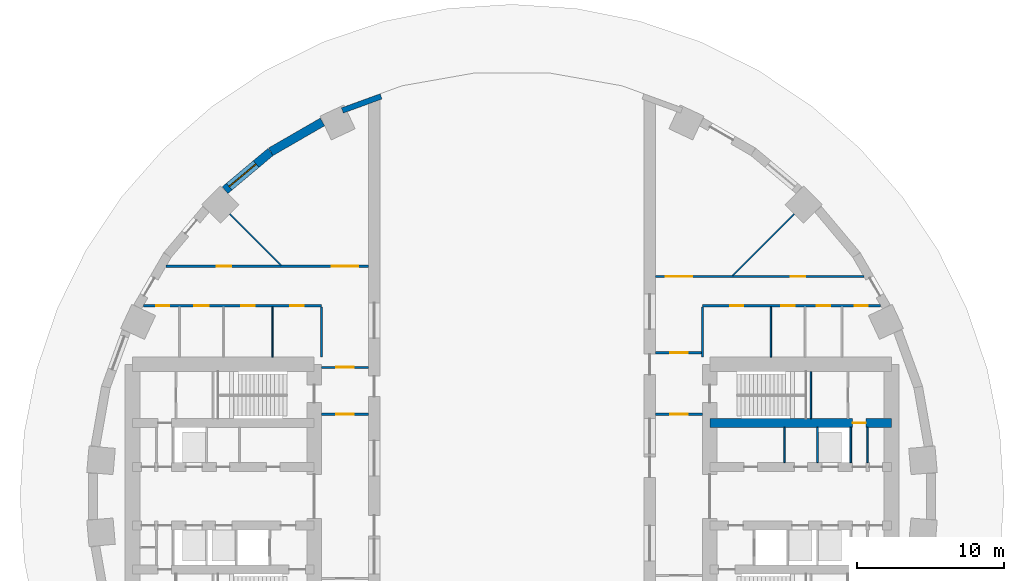
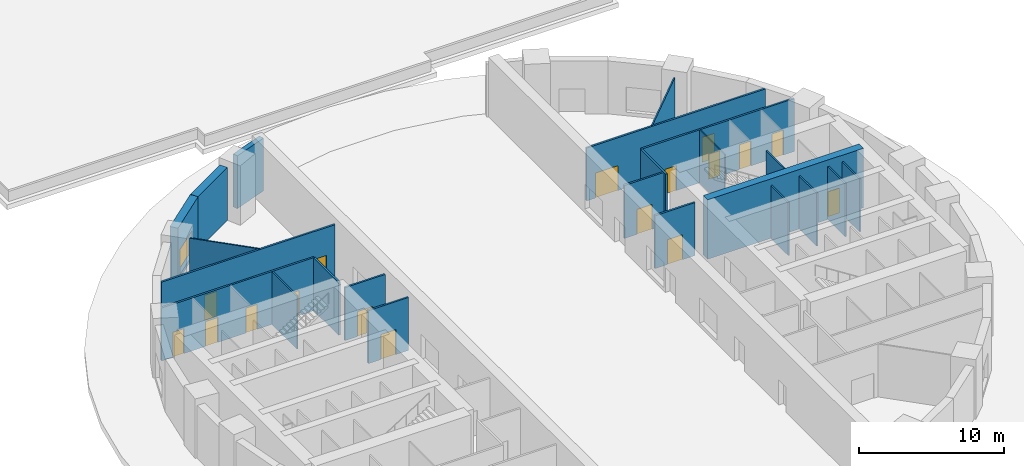
# One storey, part 6 of 10: 23 walls, 17 doors, 1 window, 18 openings.
"""IFC4 building model written with IfcOpenShell, lengths in metres."""

from ifc_helpers import new_model, si_unit, direction, frame, frame_2d, origin, place, context, subcontext, project, spatial, polyline, rectangle, outline, extrude, material, layer, layer_set, type_object, element, fill, save


model = new_model("IFC4")

# Units and contexts
model_context = context("Model", 3, precision=1e-05, world=origin(), true_north=direction((0.0, 1.0)))
body_context = subcontext(model_context, "Body", "Model", "MODEL_VIEW")
ifc_project = project(units=[si_unit("LENGTHUNIT", "METRE"), si_unit("AREAUNIT", "SQUARE_METRE"), si_unit("VOLUMEUNIT", "CUBIC_METRE"), si_unit("PLANEANGLEUNIT", "RADIAN"), si_unit("MASSUNIT", "GRAM", prefix="KILO")], contexts=[model_context])

# Site, building, storey
site_placement = place(None, origin())
site = spatial("IfcSite", under=ifc_project, at=site_placement, CompositionType="ELEMENT")
building_placement = place(site_placement, origin())
building = spatial("IfcBuilding", under=site, at=building_placement, Name="Saqina Gate Tower", CompositionType="ELEMENT")
storey_placement = place(building_placement, origin())
storey = spatial("IfcBuildingStorey", under=building, at=storey_placement, Name="L00", CompositionType="ELEMENT", Elevation=0.0)

# Walls
ifc_material_1 = material(Name="Gypsum board on steel studs", Category="steel")
ifc_layer_1 = layer(ifc_material_1, 0.10009765625)
ifc_layer_set_1 = layer_set([ifc_layer_1], Name="CORE PARTITION")
wall_type_1 = type_object("IfcWallType", Name="CORE PARTITION", PredefinedType="PARTITIONING", material=ifc_layer_set_1)
for number, where, z_axis, x_axis, name in (
    (1, (18.582763671875, 2.300048828125, 0.0), (0.0, 0.0, 1.0), (0.0, 1.0, 0.0), "L00-CP-E01"),
    (2, (24.260009765625, 2.300048828125, 0.0), (0.0, 0.0, 1.0), (0.0, 1.0, 0.0), "L00-CP-E04"),
):
    element("IfcWall", number, at=place(storey_placement, frame(where, z_axis=z_axis, x_axis=x_axis)), inside=storey, type_object=wall_type_1, Name=name, PredefinedType="PARTITIONING", context=body_context, shape_type="SweptSolid", body=[
        extrude(rectangle(XDim=2.39990234375, YDim=0.10009765625, at=frame_2d((1.199951171875, 0.0))), origin(), (0.0, 0.0, 1.0), 4.449951171875),
    ])
ifc_material_2 = material(Name="Glazed ceramic tile", Category="ceramic")
ifc_layer_2 = layer(ifc_material_2, 0.3798828125)
ifc_layer_set_2 = layer_set([ifc_layer_2], Name="FW-ARCH")
wall_type_2 = type_object("IfcWallType", Name="FW-ARCH", PredefinedType="SOLIDWALL", material=ifc_layer_set_2)
wall_1_placement = place(storey_placement, frame((-11.640625, 26.5068359375, 0.0), z_axis=(-0.342042318612, 0.939682427765, 0.001996804339), x_axis=(0.939684301135, 0.342043000515, 0.0)))
element("IfcWall", 3, at=wall_1_placement, inside=storey, type_object=wall_type_2, Name="Arch frame wall L00 facet 11", PredefinedType="SOLIDWALL", context=body_context, shape_type="SweptSolid", body=[
    extrude(outline(polyline([(0.0, 0.0), (2.8101193100826816, 2.168404344971009e-19), (2.8102624824208777, -4.449960043385524), (0.0001431723381958646, -4.449960043385524), (0.0, 0.0)])), origin(), (0.0, 0.0, -1.0), 0.3798828125),
])
ifc_material_3 = material(Name="Brick masonry (red)", Category="masonry")
ifc_layer_3 = layer(ifc_material_3, 0.60009765625)
ifc_layer_set_3 = layer_set([ifc_layer_3], Name="FW-BRICK-RED")
wall_type_3 = type_object("IfcWallType", Name="FW-BRICK-RED", PredefinedType="SOLIDWALL", material=ifc_layer_set_3)
wall_2_placement = place(storey_placement, frame((-12.933837890625, 25.545166015625, 0.0), z_axis=(0.0, 0.0, 1.0), x_axis=(-0.866011732453, -0.500023678693, 0.0)))
element("IfcWall", 4, at=wall_2_placement, inside=storey, type_object=wall_type_3, Name="Facade wall L00 facet 12", PredefinedType="SOLIDWALL", context=body_context, shape_type="SweptSolid", body=[
    extrude(rectangle(XDim=4.069091796875, YDim=0.60009765625, at=frame_2d((2.03466796875, 0.0))), origin(), (0.0, 0.0, 1.0), 4.449951171875),
])

# Wall, opening, window
wall_3_placement = place(storey_placement, frame((-16.4638671875, 23.50634765625, 0.0), z_axis=(0.0, 0.0, 1.0), x_axis=(-0.766033337734, -0.642800844336, 0.0)))
wall_3 = element("IfcWall", 5, at=wall_3_placement, inside=storey, type_object=wall_type_3, Name="Facade wall L00 facet 13", PredefinedType="SOLIDWALL", context=body_context, shape_type="SweptSolid", body=[
    extrude(rectangle(XDim=4.0693359375, YDim=0.60009765625, at=frame_2d((2.03466796875, 0.0))), origin(), (0.0, 0.0, 1.0), 4.449951171875),
])
opening_1_placement = place(wall_3_placement, frame((1.297607421875, 0.0, 0.300048828125)))
opening_1 = element("IfcOpeningElement", 6, at=opening_1_placement, cuts=wall_3, Name="Opening L00-W60", PredefinedType="OPENING", context=body_context, shape_type="SweptSolid", body=[
    extrude(rectangle(XDim=2.39990234375, YDim=2.10009765625, at=frame_2d((1.199951171875, 1.050048828125))), frame((0.0, 0.31201171875, 0.0), z_axis=(0.0, -1.0, 0.0), x_axis=(1.0, 0.0, 0.0)), (0.0, 0.0, 1.0), 0.6240234375),
])
ifc_material_4 = material(Name="Double glazed unit in aluminium frame", Category="aluminium")
window_type = type_object("IfcWindowType", Name="SHOPFRONT WINDOW 2400", PartitioningType="SINGLE_PANEL", PredefinedType="WINDOW", material=ifc_material_4)
window_placement = place(opening_1_placement, origin())
window = element("IfcWindow", 7, at=window_placement, inside=storey, type_object=window_type, Name="Shopfront window", OverallHeight=2.10009765625, OverallWidth=2.39990234375, PartitioningType="SINGLE_PANEL", PredefinedType="WINDOW", context=body_context, shape_type="SweptSolid", body=[
    extrude(rectangle(XDim=2.39990234375, YDim=2.10009765625, at=frame_2d((1.199951171875, 1.050048828125))), frame((0.0, 0.030029296875, 0.0), z_axis=(0.0, -1.0, 0.0), x_axis=(1.0, 0.0, 0.0)), (0.0, 0.0, 1.0), 0.06005859375),
])
fill(opening_1, window)

# Walls
ifc_material_5 = material(Name="Autoclaved aerated concrete block", Category="concrete")
ifc_layer_4 = layer(ifc_material_5, 0.1201171875)
ifc_layer_set_4 = layer_set([ifc_layer_4], Name="SHAFT PARTITION")
wall_type_4 = type_object("IfcWallType", Name="SHAFT PARTITION", PredefinedType="PARTITIONING", material=ifc_layer_set_4)
for number, where, z_axis, x_axis, name in (
    (8, (20.840087890625, 2.300048828125, 0.0), (0.0, 0.0, 1.0), (0.0, 1.0, 0.0), "L00-CP-E02"),
    (9, (23.1201171875, 2.300048828125, 0.0), (0.0, 0.0, 1.0), (0.0, 1.0, 0.0), "L00-CP-E03"),
):
    element("IfcWall", number, at=place(storey_placement, frame(where, z_axis=z_axis, x_axis=x_axis)), inside=storey, type_object=wall_type_4, Name=name, PredefinedType="PARTITIONING", context=body_context, shape_type="SweptSolid", body=[
        extrude(rectangle(XDim=2.39990234375, YDim=0.1201171875, at=frame_2d((1.199951171875, 0.0))), origin(), (0.0, 0.0, 1.0), 4.449951171875),
    ])
ifc_material_6 = material(Name="Gypsum board on steel studs, 100 mm", Category="steel")
ifc_layer_5 = layer(ifc_material_6, 0.10009765625)
ifc_layer_set_5 = layer_set([ifc_layer_5], Name="SPECIAL PARTITION 100")
wall_type_5 = type_object("IfcWallType", Name="SPECIAL PARTITION 100", PredefinedType="PARTITIONING", material=ifc_layer_set_5)
wall_4_placement = place(storey_placement, frame((-19.26171875, 19.26171875, 0.0), z_axis=(0.0, 0.0, 1.0), x_axis=(0.707180580359, -0.707032974311, 0.0)))
element("IfcWall", 10, at=wall_4_placement, inside=storey, type_object=wall_type_5, Name="PARTITION 001", PredefinedType="PARTITIONING", context=body_context, shape_type="SweptSolid", body=[
    extrude(rectangle(XDim=4.9619140625, YDim=0.10009765625, at=frame_2d((2.48095703125, 0.0))), origin(), (0.0, 0.0, 1.0), 4.449951171875),
])
wall_5_placement = place(storey_placement, frame((15.052978515625, 15.052978515625, 0.0), z_axis=(0.0, 0.0, 1.0), x_axis=(0.707106781187, 0.707106781187, 0.0)))
element("IfcWall", 11, at=wall_5_placement, inside=storey, type_object=wall_type_5, Name="PARTITION 021", PredefinedType="PARTITIONING", context=body_context, shape_type="SweptSolid", body=[
    extrude(rectangle(XDim=5.9521484375, YDim=0.10009765625, at=frame_2d((2.97607421875, 0.0))), origin(), (0.0, 0.0, 1.0), 4.449951171875),
])
for number, where, z_axis, x_axis, name in (
    (12, (17.6650390625, 9.5, 0.0), (0.0, 0.0, 1.0), (0.0, 1.0, 0.0), "PARTITION 026"),
    (13, (-16.342041015625, 9.5, 0.0), (0.0, 0.0, 1.0), (0.0, 1.0, 0.0), "PARTITION 032"),
):
    element("IfcWall", number, at=place(storey_placement, frame(where, z_axis=z_axis, x_axis=x_axis)), inside=storey, type_object=wall_type_5, Name=name, PredefinedType="PARTITIONING", context=body_context, shape_type="SweptSolid", body=[
        extrude(rectangle(XDim=3.425048828125, YDim=0.10009765625, at=frame_2d((1.71240234375, 0.0))), origin(), (0.0, 0.0, 1.0), 4.449951171875),
    ])

# Wall, opening, door
ifc_material_7 = material(Name="Gypsum board on steel studs, 150 mm, fire rated", Category="steel")
ifc_layer_6 = layer(ifc_material_7, 0.14990234375)
ifc_layer_set_6 = layer_set([ifc_layer_6], Name="SPECIAL PARTITION EI 30 150")
wall_type_6 = type_object("IfcWallType", Name="SPECIAL PARTITION EI 30 150", PredefinedType="PARTITIONING", material=ifc_layer_set_6)
wall_6_placement = place(storey_placement, frame((-13.0, 5.60009765625, 0.0), z_axis=(0.0, 0.0, 1.0), x_axis=(1.0, 0.0, 0.0)))
wall_6 = element("IfcWall", 14, at=wall_6_placement, inside=storey, type_object=wall_type_6, Name="PARTITION 012", PredefinedType="PARTITIONING", context=body_context, shape_type="SweptSolid", body=[
    extrude(rectangle(XDim=3.199951171875, YDim=0.14990234375, at=frame_2d((1.60009765625, 0.0))), origin(), (0.0, 0.0, 1.0), 4.449951171875),
])
opening_2_placement = place(wall_6_placement, frame((1.0, 0.0, 0.0)))
opening_2 = element("IfcOpeningElement", 15, at=opening_2_placement, cuts=wall_6, Name="Opening L00-D16", PredefinedType="OPENING", context=body_context, shape_type="SweptSolid", body=[
    extrude(rectangle(XDim=1.199951171875, YDim=2.10009765625, at=frame_2d((0.60009765625, 1.050048828125))), frame((0.0, 0.0869140625, 0.0), z_axis=(0.0, -1.0, 0.0), x_axis=(1.0, 0.0, 0.0)), (0.0, 0.0, 1.0), 0.173828125),
])
ifc_material_8 = material(Name="Steel-framed fire door leaf, EI 30", Category="steel")
door_type_1 = type_object("IfcDoorType", Name="SPECIAL DOOR 1200 FIRE EI 30", OperationType="SINGLE_SWING_LEFT", PredefinedType="DOOR", material=ifc_material_8)
door_1_placement = place(opening_2_placement, frame((1.199951171875, 0.0, 0.0), z_axis=(0.0, 0.0, 1.0), x_axis=(-1.0, 0.0, 0.0)))
door_1 = element("IfcDoor", 16, at=door_1_placement, inside=storey, type_object=door_type_1, Name="DOOR L00-D16", OperationType="SINGLE_SWING_LEFT", OverallHeight=2.10009765625, OverallWidth=1.199951171875, PredefinedType="DOOR", context=body_context, shape_type="SweptSolid", body=[
    extrude(rectangle(XDim=1.199951171875, YDim=2.10009765625, at=frame_2d((0.60009765625, 1.050048828125))), frame((0.0, 0.02490234375, 0.0), z_axis=(0.0, -1.0, 0.0), x_axis=(1.0, 0.0, 0.0)), (0.0, 0.0, 1.0), 0.050048828125),
])
fill(opening_2, door_1)

wall_7_placement = place(storey_placement, frame((9.800048828125, 5.60009765625, 0.0), z_axis=(0.0, 0.0, 1.0), x_axis=(1.0, 0.0, 0.0)))
wall_7 = element("IfcWall", 17, at=wall_7_placement, inside=storey, type_object=wall_type_6, Name="PARTITION 013", PredefinedType="PARTITIONING", context=body_context, shape_type="SweptSolid", body=[
    extrude(rectangle(XDim=3.199951171875, YDim=0.14990234375, at=frame_2d((1.60009765625, 0.0))), origin(), (0.0, 0.0, 1.0), 4.449951171875),
])
opening_3_placement = place(wall_7_placement, frame((1.0, 0.0, 0.0)))
opening_3 = element("IfcOpeningElement", 18, at=opening_3_placement, cuts=wall_7, Name="Opening L00-D01", PredefinedType="OPENING", context=body_context, shape_type="SweptSolid", body=[
    extrude(rectangle(XDim=1.199951171875, YDim=2.10009765625, at=frame_2d((0.60009765625, 1.050048828125))), frame((0.0, 0.0869140625, 0.0), z_axis=(0.0, -1.0, 0.0), x_axis=(1.0, 0.0, 0.0)), (0.0, 0.0, 1.0), 0.173828125),
])
door_2_placement = place(opening_3_placement, frame((1.199951171875, 0.0, 0.0), z_axis=(0.0, 0.0, 1.0), x_axis=(-1.0, 0.0, 0.0)))
door_2 = element("IfcDoor", 19, at=door_2_placement, inside=storey, type_object=door_type_1, Name="DOOR L00-D01", OperationType="SINGLE_SWING_LEFT", OverallHeight=2.10009765625, OverallWidth=1.199951171875, PredefinedType="DOOR", context=body_context, shape_type="SweptSolid", body=[
    extrude(rectangle(XDim=1.199951171875, YDim=2.10009765625, at=frame_2d((0.60009765625, 1.050048828125))), frame((0.0, 0.02490234375, 0.0), z_axis=(0.0, -1.0, 0.0), x_axis=(1.0, 0.0, 0.0)), (0.0, 0.0, 1.0), 0.050048828125),
])
fill(opening_3, door_2)

wall_8_placement = place(storey_placement, frame((-13.0, 8.800048828125, 0.0), z_axis=(0.0, 0.0, 1.0), x_axis=(1.0, 0.0, 0.0)))
wall_8 = element("IfcWall", 20, at=wall_8_placement, inside=storey, type_object=wall_type_6, Name="PARTITION 014", PredefinedType="PARTITIONING", context=body_context, shape_type="SweptSolid", body=[
    extrude(rectangle(XDim=3.199951171875, YDim=0.14990234375, at=frame_2d((1.60009765625, 0.0))), origin(), (0.0, 0.0, 1.0), 4.449951171875),
])
opening_4_placement = place(wall_8_placement, frame((1.0, 0.0, 0.0)))
opening_4 = element("IfcOpeningElement", 21, at=opening_4_placement, cuts=wall_8, Name="Opening L00-D12", PredefinedType="OPENING", context=body_context, shape_type="SweptSolid", body=[
    extrude(rectangle(XDim=1.199951171875, YDim=2.10009765625, at=frame_2d((0.60009765625, 1.050048828125))), frame((0.0, 0.0869140625, 0.0), z_axis=(0.0, -1.0, 0.0), x_axis=(1.0, 0.0, 0.0)), (0.0, 0.0, 1.0), 0.173828125),
])
door_3_placement = place(opening_4_placement, origin())
door_3 = element("IfcDoor", 22, at=door_3_placement, inside=storey, type_object=door_type_1, Name="DOOR L00-D12", OperationType="SINGLE_SWING_RIGHT", OverallHeight=2.10009765625, OverallWidth=1.199951171875, PredefinedType="DOOR", context=body_context, shape_type="SweptSolid", body=[
    extrude(rectangle(XDim=1.199951171875, YDim=2.10009765625, at=frame_2d((0.60009765625, 1.050048828125))), frame((0.0, 0.02490234375, 0.0), z_axis=(0.0, -1.0, 0.0), x_axis=(1.0, 0.0, 0.0)), (0.0, 0.0, 1.0), 0.050048828125),
])
fill(opening_4, door_3)

wall_9_placement = place(storey_placement, frame((9.800048828125, 9.800048828125, 0.0), z_axis=(0.0, 0.0, 1.0), x_axis=(1.0, 0.0, 0.0)))
wall_9 = element("IfcWall", 23, at=wall_9_placement, inside=storey, type_object=wall_type_6, Name="PARTITION 015", PredefinedType="PARTITIONING", context=body_context, shape_type="SweptSolid", body=[
    extrude(rectangle(XDim=3.125, YDim=0.14990234375, at=frame_2d((1.5625, 0.0))), origin(), (0.0, 0.0, 1.0), 4.449951171875),
])
opening_5_placement = place(wall_9_placement, frame((1.0, 0.0, 0.0)))
opening_5 = element("IfcOpeningElement", 24, at=opening_5_placement, cuts=wall_9, Name="Opening L00-D07", PredefinedType="OPENING", context=body_context, shape_type="SweptSolid", body=[
    extrude(rectangle(XDim=1.199951171875, YDim=2.10009765625, at=frame_2d((0.60009765625, 1.050048828125))), frame((0.0, 0.0869140625, 0.0), z_axis=(0.0, -1.0, 0.0), x_axis=(1.0, 0.0, 0.0)), (0.0, 0.0, 1.0), 0.173828125),
])
door_4_placement = place(opening_5_placement, origin())
door_4 = element("IfcDoor", 25, at=door_4_placement, inside=storey, type_object=door_type_1, Name="DOOR L00-D07", OperationType="SINGLE_SWING_RIGHT", OverallHeight=2.10009765625, OverallWidth=1.199951171875, PredefinedType="DOOR", context=body_context, shape_type="SweptSolid", body=[
    extrude(rectangle(XDim=1.199951171875, YDim=2.10009765625, at=frame_2d((0.60009765625, 1.050048828125))), frame((0.0, 0.02490234375, 0.0), z_axis=(0.0, -1.0, 0.0), x_axis=(1.0, 0.0, 0.0)), (0.0, 0.0, 1.0), 0.050048828125),
])
fill(opening_5, door_4)

# Wall, openings, doors
wall_10_placement = place(storey_placement, frame((-25.159912109375, 13.0, 0.0), z_axis=(0.0, 0.0, 1.0), x_axis=(1.0, 0.0, 0.0)))
wall_10 = element("IfcWall", 26, at=wall_10_placement, inside=storey, type_object=wall_type_6, Name="PARTITION 016", PredefinedType="PARTITIONING", context=body_context, shape_type="SweptSolid", body=[
    extrude(rectangle(XDim=12.159912109375, YDim=0.14990234375, at=frame_2d((6.080078125, 0.0))), origin(), (0.0, 0.0, 1.0), 4.449951171875),
])
opening_6_placement = place(wall_10_placement, frame((10.0390625, 0.0, 0.0)))
opening_6 = element("IfcOpeningElement", 27, at=opening_6_placement, cuts=wall_10, Name="Opening L00-D10", PredefinedType="OPENING", context=body_context, shape_type="SweptSolid", body=[
    extrude(rectangle(XDim=0.89990234375, YDim=2.10009765625, at=frame_2d((0.449951171875, 1.050048828125))), frame((0.0, 0.0869140625, 0.0), z_axis=(0.0, -1.0, 0.0), x_axis=(1.0, 0.0, 0.0)), (0.0, 0.0, 1.0), 0.173828125),
])
opening_7_placement = place(wall_10_placement, frame((6.696533203125, 0.0, 0.0)))
opening_7 = element("IfcOpeningElement", 28, at=opening_7_placement, cuts=wall_10, Name="Opening L00-D13", PredefinedType="OPENING", context=body_context, shape_type="SweptSolid", body=[
    extrude(rectangle(XDim=0.89990234375, YDim=2.10009765625, at=frame_2d((0.449951171875, 1.050048828125))), frame((0.0, 0.0869140625, 0.0), z_axis=(0.0, -1.0, 0.0), x_axis=(1.0, 0.0, 0.0)), (0.0, 0.0, 1.0), 0.173828125),
])
opening_8_placement = place(wall_10_placement, frame((3.470947265625, 0.0, 0.0)))
opening_8 = element("IfcOpeningElement", 29, at=opening_8_placement, cuts=wall_10, Name="Opening L00-D14", PredefinedType="OPENING", context=body_context, shape_type="SweptSolid", body=[
    extrude(rectangle(XDim=1.0, YDim=2.10009765625, at=frame_2d((0.5, 1.050048828125))), frame((0.0, 0.0869140625, 0.0), z_axis=(0.0, -1.0, 0.0), x_axis=(1.0, 0.0, 0.0)), (0.0, 0.0, 1.0), 0.173828125),
])
opening_9_placement = place(wall_10_placement, frame((0.883544921875, 0.0, 0.0)))
opening_9 = element("IfcOpeningElement", 30, at=opening_9_placement, cuts=wall_10, Name="Opening L00-D15", PredefinedType="OPENING", context=body_context, shape_type="SweptSolid", body=[
    extrude(rectangle(XDim=0.89990234375, YDim=2.10009765625, at=frame_2d((0.449951171875, 1.050048828125))), frame((0.0, 0.0869140625, 0.0), z_axis=(0.0, -1.0, 0.0), x_axis=(1.0, 0.0, 0.0)), (0.0, 0.0, 1.0), 0.173828125),
])
ifc_material_9 = material(Name="Steel-framed fire door leaf, EI 30", Category="steel")
door_type_2 = type_object("IfcDoorType", Name="SPECIAL DOOR 1000 FIRE EI 30", OperationType="SINGLE_SWING_LEFT", PredefinedType="DOOR", material=ifc_material_9)
door_5_placement = place(opening_8_placement, frame((1.0, 0.0, 0.0), z_axis=(0.0, 0.0, 1.0), x_axis=(-1.0, 0.0, 0.0)))
door_5 = element("IfcDoor", 31, at=door_5_placement, inside=storey, type_object=door_type_2, Name="DOOR L00-D14", OperationType="SINGLE_SWING_RIGHT", OverallHeight=2.10009765625, OverallWidth=1.0, PredefinedType="DOOR", context=body_context, shape_type="SweptSolid", body=[
    extrude(rectangle(XDim=1.0, YDim=2.10009765625, at=frame_2d((0.5, 1.050048828125))), frame((0.0, 0.02490234375, 0.0), z_axis=(0.0, -1.0, 0.0), x_axis=(1.0, 0.0, 0.0)), (0.0, 0.0, 1.0), 0.050048828125),
])
fill(opening_8, door_5)
ifc_material_10 = material(Name="Steel-framed fire door leaf, EI 30", Category="steel")
door_type_3 = type_object("IfcDoorType", Name="SPECIAL DOOR 900 FIRE EI 30", OperationType="SINGLE_SWING_LEFT", PredefinedType="DOOR", material=ifc_material_10)
door_6_placement = place(opening_6_placement, frame((0.89990234375, 0.0, 0.0), z_axis=(0.0, 0.0, 1.0), x_axis=(-1.0, 0.0, 0.0)))
door_6 = element("IfcDoor", 32, at=door_6_placement, inside=storey, type_object=door_type_3, Name="DOOR L00-D10", OperationType="SINGLE_SWING_LEFT", OverallHeight=2.10009765625, OverallWidth=0.89990234375, PredefinedType="DOOR", context=body_context, shape_type="SweptSolid", body=[
    extrude(rectangle(XDim=0.89990234375, YDim=2.10009765625, at=frame_2d((0.449951171875, 1.050048828125))), frame((0.0, 0.02490234375, 0.0), z_axis=(0.0, -1.0, 0.0), x_axis=(1.0, 0.0, 0.0)), (0.0, 0.0, 1.0), 0.050048828125),
])
fill(opening_6, door_6)
door_7_placement = place(opening_7_placement, frame((0.89990234375, 0.0, 0.0), z_axis=(0.0, 0.0, 1.0), x_axis=(-1.0, 0.0, 0.0)))
door_7 = element("IfcDoor", 33, at=door_7_placement, inside=storey, type_object=door_type_3, Name="DOOR L00-D13", OperationType="SINGLE_SWING_LEFT", OverallHeight=2.10009765625, OverallWidth=0.89990234375, PredefinedType="DOOR", context=body_context, shape_type="SweptSolid", body=[
    extrude(rectangle(XDim=0.89990234375, YDim=2.10009765625, at=frame_2d((0.449951171875, 1.050048828125))), frame((0.0, 0.02490234375, 0.0), z_axis=(0.0, -1.0, 0.0), x_axis=(1.0, 0.0, 0.0)), (0.0, 0.0, 1.0), 0.050048828125),
])
fill(opening_7, door_7)
door_8_placement = place(opening_9_placement, frame((0.89990234375, 0.0, 0.0), z_axis=(0.0, 0.0, 1.0), x_axis=(-1.0, 0.0, 0.0)))
door_8 = element("IfcDoor", 34, at=door_8_placement, inside=storey, type_object=door_type_3, Name="DOOR L00-D15", OperationType="SINGLE_SWING_RIGHT", OverallHeight=2.10009765625, OverallWidth=0.89990234375, PredefinedType="DOOR", context=body_context, shape_type="SweptSolid", body=[
    extrude(rectangle(XDim=0.89990234375, YDim=2.10009765625, at=frame_2d((0.449951171875, 1.050048828125))), frame((0.0, 0.02490234375, 0.0), z_axis=(0.0, -1.0, 0.0), x_axis=(1.0, 0.0, 0.0)), (0.0, 0.0, 1.0), 0.050048828125),
])
fill(opening_9, door_8)

wall_11_placement = place(storey_placement, frame((13.0, 13.0, 0.0), z_axis=(0.0, 0.0, 1.0), x_axis=(1.0, 0.0, 0.0)))
wall_11 = element("IfcWall", 35, at=wall_11_placement, inside=storey, type_object=wall_type_6, Name="PARTITION 017", PredefinedType="PARTITIONING", context=body_context, shape_type="SweptSolid", body=[
    extrude(rectangle(XDim=12.159912109375, YDim=0.14990234375, at=frame_2d((6.080078125, 0.0))), origin(), (0.0, 0.0, 1.0), 4.449951171875),
])
opening_10_placement = place(wall_11_placement, frame((10.384521484375, 0.0, 0.0)))
opening_10 = element("IfcOpeningElement", 36, at=opening_10_placement, cuts=wall_11, Name="Opening L00-D02", PredefinedType="OPENING", context=body_context, shape_type="SweptSolid", body=[
    extrude(rectangle(XDim=0.89990234375, YDim=2.10009765625, at=frame_2d((0.449951171875, 1.050048828125))), frame((0.0, 0.0869140625, 0.0), z_axis=(0.0, -1.0, 0.0), x_axis=(1.0, 0.0, 0.0)), (0.0, 0.0, 1.0), 0.173828125),
])
opening_11_placement = place(wall_11_placement, frame((7.802978515625, 0.0, 0.0)))
opening_11 = element("IfcOpeningElement", 37, at=opening_11_placement, cuts=wall_11, Name="Opening L00-D03", PredefinedType="OPENING", context=body_context, shape_type="SweptSolid", body=[
    extrude(rectangle(XDim=0.89990234375, YDim=2.10009765625, at=frame_2d((0.449951171875, 1.050048828125))), frame((0.0, 0.0869140625, 0.0), z_axis=(0.0, -1.0, 0.0), x_axis=(1.0, 0.0, 0.0)), (0.0, 0.0, 1.0), 0.173828125),
])
opening_12_placement = place(wall_11_placement, frame((5.381103515625, 0.0, 0.0)))
opening_12 = element("IfcOpeningElement", 38, at=opening_12_placement, cuts=wall_11, Name="Opening L00-D04", PredefinedType="OPENING", context=body_context, shape_type="SweptSolid", body=[
    extrude(rectangle(XDim=0.89990234375, YDim=2.10009765625, at=frame_2d((0.449951171875, 1.050048828125))), frame((0.0, 0.0869140625, 0.0), z_axis=(0.0, -1.0, 0.0), x_axis=(1.0, 0.0, 0.0)), (0.0, 0.0, 1.0), 0.173828125),
])
opening_13_placement = place(wall_11_placement, frame((1.882568359375, 0.0, 0.0)))
opening_13 = element("IfcOpeningElement", 39, at=opening_13_placement, cuts=wall_11, Name="Opening L00-D06", PredefinedType="OPENING", context=body_context, shape_type="SweptSolid", body=[
    extrude(rectangle(XDim=0.89990234375, YDim=2.10009765625, at=frame_2d((0.449951171875, 1.050048828125))), frame((0.0, 0.0869140625, 0.0), z_axis=(0.0, -1.0, 0.0), x_axis=(1.0, 0.0, 0.0)), (0.0, 0.0, 1.0), 0.173828125),
])
door_9_placement = place(opening_10_placement, frame((0.89990234375, 0.0, 0.0), z_axis=(0.0, 0.0, 1.0), x_axis=(-1.0, 0.0, 0.0)))
door_9 = element("IfcDoor", 40, at=door_9_placement, inside=storey, type_object=door_type_3, Name="DOOR L00-D02", OperationType="SINGLE_SWING_LEFT", OverallHeight=2.10009765625, OverallWidth=0.89990234375, PredefinedType="DOOR", context=body_context, shape_type="SweptSolid", body=[
    extrude(rectangle(XDim=0.89990234375, YDim=2.10009765625, at=frame_2d((0.449951171875, 1.050048828125))), frame((0.0, 0.02490234375, 0.0), z_axis=(0.0, -1.0, 0.0), x_axis=(1.0, 0.0, 0.0)), (0.0, 0.0, 1.0), 0.050048828125),
])
fill(opening_10, door_9)
door_10_placement = place(opening_11_placement, frame((0.89990234375, 0.0, 0.0), z_axis=(0.0, 0.0, 1.0), x_axis=(-1.0, 0.0, 0.0)))
door_10 = element("IfcDoor", 41, at=door_10_placement, inside=storey, type_object=door_type_3, Name="DOOR L00-D03", OperationType="SINGLE_SWING_LEFT", OverallHeight=2.10009765625, OverallWidth=0.89990234375, PredefinedType="DOOR", context=body_context, shape_type="SweptSolid", body=[
    extrude(rectangle(XDim=0.89990234375, YDim=2.10009765625, at=frame_2d((0.449951171875, 1.050048828125))), frame((0.0, 0.02490234375, 0.0), z_axis=(0.0, -1.0, 0.0), x_axis=(1.0, 0.0, 0.0)), (0.0, 0.0, 1.0), 0.050048828125),
])
fill(opening_11, door_10)
door_11_placement = place(opening_12_placement, frame((0.89990234375, 0.0, 0.0), z_axis=(0.0, 0.0, 1.0), x_axis=(-1.0, 0.0, 0.0)))
door_11 = element("IfcDoor", 42, at=door_11_placement, inside=storey, type_object=door_type_3, Name="DOOR L00-D04", OperationType="SINGLE_SWING_RIGHT", OverallHeight=2.10009765625, OverallWidth=0.89990234375, PredefinedType="DOOR", context=body_context, shape_type="SweptSolid", body=[
    extrude(rectangle(XDim=0.89990234375, YDim=2.10009765625, at=frame_2d((0.449951171875, 1.050048828125))), frame((0.0, 0.02490234375, 0.0), z_axis=(0.0, -1.0, 0.0), x_axis=(1.0, 0.0, 0.0)), (0.0, 0.0, 1.0), 0.050048828125),
])
fill(opening_12, door_11)
door_12_placement = place(opening_13_placement, frame((0.89990234375, 0.0, 0.0), z_axis=(0.0, 0.0, 1.0), x_axis=(-1.0, 0.0, 0.0)))
door_12 = element("IfcDoor", 43, at=door_12_placement, inside=storey, type_object=door_type_3, Name="DOOR L00-D06", OperationType="SINGLE_SWING_RIGHT", OverallHeight=2.10009765625, OverallWidth=0.89990234375, PredefinedType="DOOR", context=body_context, shape_type="SweptSolid", body=[
    extrude(rectangle(XDim=0.89990234375, YDim=2.10009765625, at=frame_2d((0.449951171875, 1.050048828125))), frame((0.0, 0.02490234375, 0.0), z_axis=(0.0, -1.0, 0.0), x_axis=(1.0, 0.0, 0.0)), (0.0, 0.0, 1.0), 0.050048828125),
])
fill(opening_13, door_12)

wall_12_placement = place(storey_placement, frame((9.800048828125, 15.0, 0.0), z_axis=(0.0, 0.0, 1.0), x_axis=(1.0, 0.0, 0.0)))
wall_12 = element("IfcWall", 44, at=wall_12_placement, inside=storey, type_object=wall_type_6, Name="PARTITION 018", PredefinedType="PARTITIONING", context=body_context, shape_type="SweptSolid", body=[
    extrude(rectangle(XDim=14.2060546875, YDim=0.14990234375, at=frame_2d((7.10302734375, 0.0))), origin(), (0.0, 0.0, 1.0), 4.449951171875),
])
opening_14_placement = place(wall_12_placement, frame((9.2041015625, 0.0, 0.0)))
opening_14 = element("IfcOpeningElement", 45, at=opening_14_placement, cuts=wall_12, Name="Opening L00-D05", PredefinedType="OPENING", context=body_context, shape_type="SweptSolid", body=[
    extrude(rectangle(XDim=1.0, YDim=2.10009765625, at=frame_2d((0.5, 1.050048828125))), frame((0.0, 0.0869140625, 0.0), z_axis=(0.0, -1.0, 0.0), x_axis=(1.0, 0.0, 0.0)), (0.0, 0.0, 1.0), 0.173828125),
])
opening_15_placement = place(wall_12_placement, frame((0.701904296875, 0.0, 0.0)))
opening_15 = element("IfcOpeningElement", 46, at=opening_15_placement, cuts=wall_12, Name="Opening L00-D08", PredefinedType="OPENING", context=body_context, shape_type="SweptSolid", body=[
    extrude(rectangle(XDim=1.800048828125, YDim=2.10009765625, at=frame_2d((0.89990234375, 1.050048828125))), frame((0.0, 0.0869140625, 0.0), z_axis=(0.0, -1.0, 0.0), x_axis=(1.0, 0.0, 0.0)), (0.0, 0.0, 1.0), 0.173828125),
])
door_13_placement = place(opening_14_placement, origin())
door_13 = element("IfcDoor", 47, at=door_13_placement, inside=storey, type_object=door_type_2, Name="DOOR L00-D05", OperationType="SINGLE_SWING_RIGHT", OverallHeight=2.10009765625, OverallWidth=1.0, PredefinedType="DOOR", context=body_context, shape_type="SweptSolid", body=[
    extrude(rectangle(XDim=1.0, YDim=2.10009765625, at=frame_2d((0.5, 1.050048828125))), frame((0.0, 0.02490234375, 0.0), z_axis=(0.0, -1.0, 0.0), x_axis=(1.0, 0.0, 0.0)), (0.0, 0.0, 1.0), 0.050048828125),
])
fill(opening_14, door_13)
ifc_material_11 = material(Name="Steel-framed fire door leaf, EI 30", Category="steel")
door_type_4 = type_object("IfcDoorType", Name="SPECIAL DOUBLE DOOR 1800 FIRE EI 30", OperationType="DOUBLE_DOOR_SINGLE_SWING", PredefinedType="DOOR", material=ifc_material_11)
door_14_placement = place(opening_15_placement, frame((1.800048828125, 0.0, 0.0), z_axis=(0.0, 0.0, 1.0), x_axis=(-1.0, 0.0, 0.0)))
door_14 = element("IfcDoor", 48, at=door_14_placement, inside=storey, type_object=door_type_4, Name="DOOR L00-D08", OperationType="DOUBLE_DOOR_SINGLE_SWING", OverallHeight=2.10009765625, OverallWidth=1.800048828125, PredefinedType="DOOR", context=body_context, shape_type="SweptSolid", body=[
    extrude(rectangle(XDim=1.800048828125, YDim=2.10009765625, at=frame_2d((0.89990234375, 1.050048828125))), frame((0.0, 0.02490234375, 0.0), z_axis=(0.0, -1.0, 0.0), x_axis=(1.0, 0.0, 0.0)), (0.0, 0.0, 1.0), 0.050048828125),
])
fill(opening_15, door_14)

wall_13_placement = place(storey_placement, frame((-23.60107421875, 15.699951171875, 0.0), z_axis=(0.0, 0.0, 1.0), x_axis=(1.0, 0.0, 0.0)))
wall_13 = element("IfcWall", 49, at=wall_13_placement, inside=storey, type_object=wall_type_6, Name="PARTITION 019", PredefinedType="PARTITIONING", context=body_context, shape_type="SweptSolid", body=[
    extrude(rectangle(XDim=13.801025390625, YDim=0.14990234375, at=frame_2d((6.900390625, 0.0))), origin(), (0.0, 0.0, 1.0), 4.449951171875),
])
opening_16_placement = place(wall_13_placement, frame((11.299072265625, 0.0, 0.0)))
opening_16 = element("IfcOpeningElement", 50, at=opening_16_placement, cuts=wall_13, Name="Opening L00-D09", PredefinedType="OPENING", context=body_context, shape_type="SweptSolid", body=[
    extrude(rectangle(XDim=1.800048828125, YDim=2.10009765625, at=frame_2d((0.89990234375, 1.050048828125))), frame((0.0, 0.0869140625, 0.0), z_axis=(0.0, -1.0, 0.0), x_axis=(1.0, 0.0, 0.0)), (0.0, 0.0, 1.0), 0.173828125),
])
opening_17_placement = place(wall_13_placement, frame((3.449462890625, 0.0, 0.0)))
opening_17 = element("IfcOpeningElement", 51, at=opening_17_placement, cuts=wall_13, Name="Opening L00-D11", PredefinedType="OPENING", context=body_context, shape_type="SweptSolid", body=[
    extrude(rectangle(XDim=1.0, YDim=2.10009765625, at=frame_2d((0.5, 1.050048828125))), frame((0.0, 0.0869140625, 0.0), z_axis=(0.0, -1.0, 0.0), x_axis=(1.0, 0.0, 0.0)), (0.0, 0.0, 1.0), 0.173828125),
])
door_15_placement = place(opening_17_placement, origin())
door_15 = element("IfcDoor", 52, at=door_15_placement, inside=storey, type_object=door_type_2, Name="DOOR L00-D11", OperationType="SINGLE_SWING_LEFT", OverallHeight=2.10009765625, OverallWidth=1.0, PredefinedType="DOOR", context=body_context, shape_type="SweptSolid", body=[
    extrude(rectangle(XDim=1.0, YDim=2.10009765625, at=frame_2d((0.5, 1.050048828125))), frame((0.0, 0.02490234375, 0.0), z_axis=(0.0, -1.0, 0.0), x_axis=(1.0, 0.0, 0.0)), (0.0, 0.0, 1.0), 0.050048828125),
])
fill(opening_17, door_15)
door_16_placement = place(opening_16_placement, frame((1.800048828125, 0.0, 0.0), z_axis=(0.0, 0.0, 1.0), x_axis=(-1.0, 0.0, 0.0)))
door_16 = element("IfcDoor", 53, at=door_16_placement, inside=storey, type_object=door_type_4, Name="DOOR L00-D09", OperationType="DOUBLE_DOOR_SINGLE_SWING", OverallHeight=2.10009765625, OverallWidth=1.800048828125, PredefinedType="DOOR", context=body_context, shape_type="SweptSolid", body=[
    extrude(rectangle(XDim=1.800048828125, YDim=2.10009765625, at=frame_2d((0.89990234375, 1.050048828125))), frame((0.0, 0.02490234375, 0.0), z_axis=(0.0, -1.0, 0.0), x_axis=(1.0, 0.0, 0.0)), (0.0, 0.0, 1.0), 0.050048828125),
])
fill(opening_16, door_16)

# Walls
for number, where, z_axis, x_axis, name in (
    (54, (13.0, 9.5, 0.0), (0.0, 0.0, 1.0), (0.0, 1.0, 0.0), "PARTITION 029"),
    (55, (-13.0, 9.5, 0.0), (0.0, 0.0, 1.0), (0.0, 1.0, 0.0), "PARTITION 031"),
):
    element("IfcWall", number, at=place(storey_placement, frame(where, z_axis=z_axis, x_axis=x_axis)), inside=storey, type_object=wall_type_6, Name=name, PredefinedType="PARTITIONING", context=body_context, shape_type="SweptSolid", body=[
        extrude(rectangle(XDim=3.425048828125, YDim=0.14990234375, at=frame_2d((1.71240234375, 0.0))), origin(), (0.0, 0.0, 1.0), 4.449951171875),
    ])
ifc_material_12 = material(Name="Autoclaved aerated concrete block", Category="concrete")
ifc_layer_7 = layer(ifc_material_12, 0.10009765625)
ifc_layer_set_7 = layer_set([ifc_layer_7], Name="STAIR ENCLOSURE WALL")
wall_type_7 = type_object("IfcWallType", Name="STAIR ENCLOSURE WALL", PredefinedType="PARTITIONING", material=ifc_layer_set_7)
wall_14_placement = place(storey_placement, frame((20.389892578125, 5.300048828125, 0.0), z_axis=(0.0, 0.0, 1.0), x_axis=(0.0, 1.0, 0.0)))
element("IfcWall", 56, at=wall_14_placement, inside=storey, type_object=wall_type_7, Name="L00-CP-E11", PredefinedType="PARTITIONING", context=body_context, shape_type="SweptSolid", body=[
    extrude(rectangle(XDim=3.199951171875, YDim=0.10009765625, at=frame_2d((1.60009765625, 0.0))), origin(), (0.0, 0.0, 1.0), 4.449951171875),
])

# Wall, opening, door
ifc_material_13 = material(Name="Concrete C70/85", Category="concrete")
ifc_layer_8 = layer(ifc_material_13, 0.60009765625)
ifc_layer_set_8 = layer_set([ifc_layer_8], Name="Concrete C70/85")
wall_type_8 = type_object("IfcWallType", Name="STR-CORE WALL-P-I", PredefinedType="SHEAR", material=ifc_layer_set_8)
wall_15_placement = place(storey_placement, frame((13.5, 5.0, 0.0), z_axis=(0.0, 0.0, 1.0), x_axis=(1.0, 0.0, 0.0)))
wall_15 = element("IfcWall", 57, at=wall_15_placement, inside=storey, type_object=wall_type_8, Name="CORE WALL L00 E-X1", PredefinedType="SHEAR", context=body_context, shape_type="SweptSolid", body=[
    extrude(rectangle(XDim=12.39990234375, YDim=0.60009765625, at=frame_2d((6.199951171875, 0.0))), origin(), (0.0, 0.0, 1.0), 5.0),
])
opening_18_placement = place(wall_15_placement, frame((9.739990234375, 0.0, 0.0)))
opening_18 = element("IfcOpeningElement", 58, at=opening_18_placement, cuts=wall_15, Name="Opening L00-D98", PredefinedType="OPENING", context=body_context, shape_type="SweptSolid", body=[
    extrude(rectangle(XDim=0.89990234375, YDim=2.10009765625, at=frame_2d((0.449951171875, 1.050048828125))), frame((0.0, 0.31201171875, 0.0), z_axis=(0.0, -1.0, 0.0), x_axis=(1.0, 0.0, 0.0)), (0.0, 0.0, 1.0), 0.6240234375),
])
ifc_material_14 = material(Name="Steel-framed fire door leaf, EI 60", Category="steel")
door_type_5 = type_object("IfcDoorType", Name="SERVICE ROOM DOOR 900", OperationType="SINGLE_SWING_LEFT", PredefinedType="DOOR", material=ifc_material_14)
door_17_placement = place(opening_18_placement, origin())
door_17 = element("IfcDoor", 59, at=door_17_placement, inside=storey, type_object=door_type_5, Name="L00-CD-E09", OperationType="SINGLE_SWING_LEFT", OverallHeight=2.10009765625, OverallWidth=0.89990234375, PredefinedType="DOOR", context=body_context, shape_type="SweptSolid", body=[
    extrude(rectangle(XDim=0.89990234375, YDim=2.10009765625, at=frame_2d((0.449951171875, 1.050048828125))), frame((0.0, 0.02490234375, 0.0), z_axis=(0.0, -1.0, 0.0), x_axis=(1.0, 0.0, 0.0)), (0.0, 0.0, 1.0), 0.050048828125),
])
fill(opening_18, door_17)

save(model, "model.ifc")
